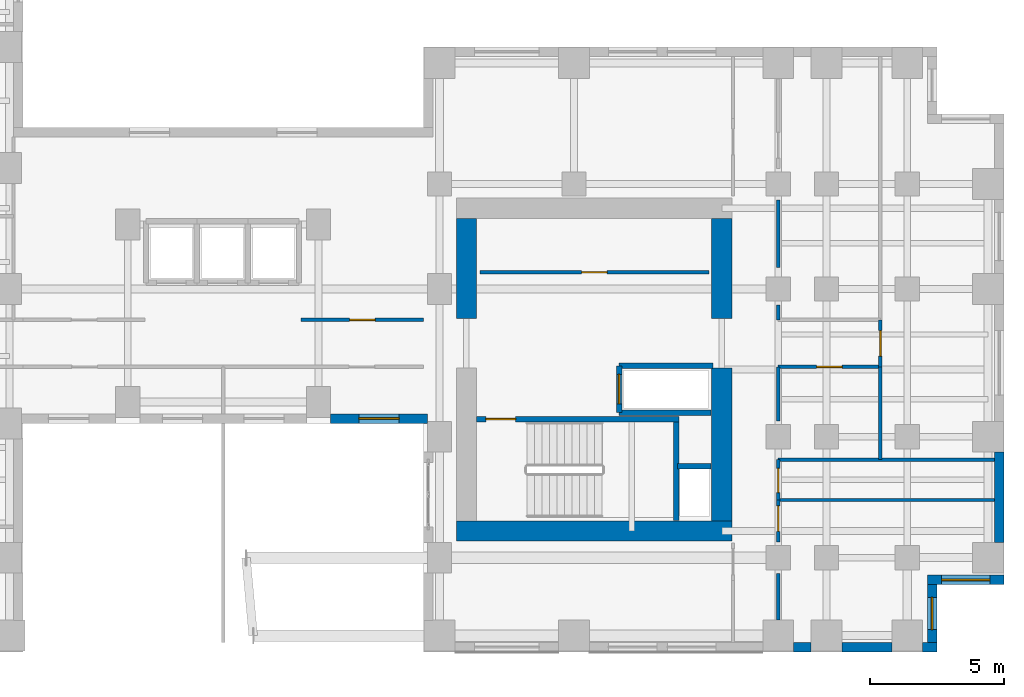
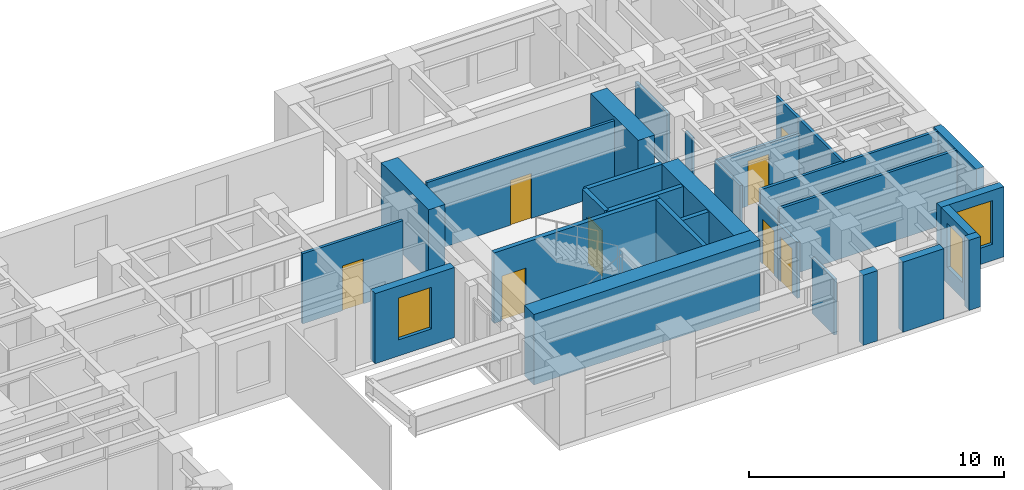
# One storey, part 10 of 14: 30 walls, 8 doors, 3 windows, 11 openings.
"""IFC4 building model written with IfcOpenShell, lengths in metres."""

import ifcopenshell
import ifcopenshell.guid

model = None  # the IFC model being written
_history = None  # IfcOwnerHistory: only IFC2X3 demands one
_inside = {}  # id of a spatial element -> (the spatial element, [elements in it])
_under = {}  # id of a project, library or spatial element -> (it, [spatial elements below it])
_declared = {}  # id of a project -> (the project, [libraries it declares])
_typed = {}  # id of a type object -> (the type object, [elements of that type])
_made_of = {}  # id of a material, layer set ... -> (it, [elements and type objects made of it])


def new_model(schema):
    """Start an empty IFC model of exactly this schema.

    Asked for "IFC4X3", IfcOpenShell would pick the latest addendum, in which some entities
    have other attributes; the version numbers below select the first issue.
    IFC2X3 requires an IfcOwnerHistory on every rooted entity: one is made here for all.
    """
    global model, _history
    if schema == "IFC4X3":
        model = ifcopenshell.file(schema_version=(4, 3, 0, 0))
    else:
        model = ifcopenshell.file(schema=schema)
    _inside.clear()
    _under.clear()
    _declared.clear()
    _typed.clear()
    _made_of.clear()
    _history = None
    if model.schema == "IFC2X3":
        org = make("IfcOrganization", Name="unknown")
        user = make(
            "IfcPersonAndOrganization",
            ThePerson=make("IfcPerson", FamilyName="unknown"),
            TheOrganization=org,
        )
        app = make(
            "IfcApplication",
            ApplicationDeveloper=org,
            Version="unknown",
            ApplicationFullName="unknown",
            ApplicationIdentifier="unknown",
        )
        _history = make(
            "IfcOwnerHistory",
            OwningUser=user,
            OwningApplication=app,
            ChangeAction="ADDED",
            CreationDate=0,
        )
    return model


def make(cls, **values):
    """One entity of the class cls with the attributes given. An attribute that is None is left unset."""
    return model.create_entity(
        cls, **{name: value for name, value in values.items() if value is not None}
    )


def rooted(cls, **values):
    """An entity with a GlobalId (a new one), such as an element, a storey or a relation."""
    return make(cls, GlobalId=ifcopenshell.guid.new(), OwnerHistory=_history, **values)


def si_unit(unit_type, name, prefix=None):
    """IfcSIUnit, for example si_unit("LENGTHUNIT", "METRE", prefix="MILLI")."""
    return make("IfcSIUnit", UnitType=unit_type, Prefix=prefix, Name=name)


def assignment(units):
    """IfcUnitAssignment: the units of a project."""
    return None if units is None else make("IfcUnitAssignment", Units=units)


def point(xyz):
    """IfcCartesianPoint."""
    return None if xyz is None else make("IfcCartesianPoint", Coordinates=xyz)


def direction(xyz):
    """IfcDirection."""
    return None if xyz is None else make("IfcDirection", DirectionRatios=xyz)


def frame(location, z_axis=None, x_axis=None):
    """IfcAxis2Placement3D, a coordinate frame: its origin and axes. An axis left out is left unset."""
    return make(
        "IfcAxis2Placement3D",
        Location=point(location),
        Axis=direction(z_axis),
        RefDirection=direction(x_axis),
    )


def frame_2d(location, x_axis=None):
    """IfcAxis2Placement2D, a coordinate frame in the plane: its origin and x axis."""
    return make(
        "IfcAxis2Placement2D", Location=point(location), RefDirection=direction(x_axis)
    )


def origin():
    """The frame at (0, 0, 0) with its axes left unset."""
    return frame((0.0, 0.0, 0.0))


def place(relative_to, where):
    """IfcLocalPlacement: puts the frame where relative to a parent placement (None: the world)."""
    return make(
        "IfcLocalPlacement", PlacementRelTo=relative_to, RelativePlacement=where
    )


def context(
    kind, dimensions, precision=None, world=None, true_north=None, identifier=None
):
    """IfcGeometricRepresentationContext, for example the 3D "Model" context."""
    return make(
        "IfcGeometricRepresentationContext",
        ContextIdentifier=identifier,
        ContextType=kind,
        CoordinateSpaceDimension=dimensions,
        Precision=precision,
        WorldCoordinateSystem=world,
        TrueNorth=true_north,
    )


def subcontext(parent, identifier, kind, view, scale=None):
    """IfcGeometricRepresentationSubContext, for example "Body" below "Model"."""
    return make(
        "IfcGeometricRepresentationSubContext",
        ContextIdentifier=identifier,
        ContextType=kind,
        ParentContext=parent,
        TargetScale=scale,
        TargetView=view,
    )


def project(units=None, contexts=None):
    """IfcProject with its units and contexts."""
    return rooted(
        "IfcProject",
        Name="project",
        RepresentationContexts=contexts,
        UnitsInContext=assignment(units),
    )


def spatial(cls, under=None, at=None, **own):
    """A site, building, storey or space (cls), placed at a placement, below another one or the project."""
    s = rooted(cls, ObjectPlacement=at, **own)
    if under is not None:
        _under.setdefault(under.id(), (under, []))[1].append(s)
    return s


def profile(cls, at=None, kind="AREA", **sizes):
    """A parametric profile (cls). Its sizes go by their IFC names, for example OverallWidth=200.0."""
    return make(cls, ProfileType=kind, Position=at, **sizes)


def rectangle(**sizes):
    """IfcRectangleProfileDef."""
    return profile("IfcRectangleProfileDef", **sizes)


def extrude(swept, where, along, depth):
    """IfcExtrudedAreaSolid: the profile swept, set in the frame where, extruded along a direction by depth."""
    return make(
        "IfcExtrudedAreaSolid",
        SweptArea=swept,
        Position=where,
        ExtrudedDirection=direction(along),
        Depth=depth,
    )


def shape(context_of_items, identifier, shape_type, items):
    """IfcShapeRepresentation: the items that make up one representation, for example the "Body"."""
    return make(
        "IfcShapeRepresentation",
        ContextOfItems=context_of_items,
        RepresentationIdentifier=identifier,
        RepresentationType=shape_type,
        Items=items,
    )


def source(mapping_origin, context_of_items, identifier, shape_type, items):
    """IfcRepresentationMap: a shape defined once, which mapped items show again and again."""
    return make(
        "IfcRepresentationMap",
        MappingOrigin=mapping_origin,
        MappedRepresentation=shape(context_of_items, identifier, shape_type, items),
    )


def transform(
    local_origin,
    x_axis=None,
    y_axis=None,
    z_axis=None,
    scale=None,
    scale2=None,
    scale3=None,
    uniform=True,
):
    """IfcCartesianTransformationOperator3D, or its non-uniform kind. x_axis, y_axis, z_axis: its Axis1, 2, 3."""
    if uniform:
        return make(
            "IfcCartesianTransformationOperator3D",
            Axis1=direction(x_axis),
            Axis2=direction(y_axis),
            LocalOrigin=point(local_origin),
            Scale=scale,
            Axis3=direction(z_axis),
        )
    return make(
        "IfcCartesianTransformationOperator3DnonUniform",
        Axis1=direction(x_axis),
        Axis2=direction(y_axis),
        LocalOrigin=point(local_origin),
        Scale=scale,
        Axis3=direction(z_axis),
        Scale2=scale2,
        Scale3=scale3,
    )


def mapped(mapping_source, mapping_target):
    """IfcMappedItem: shows the shape of a source again, moved by a transform."""
    return make(
        "IfcMappedItem", MappingSource=mapping_source, MappingTarget=mapping_target
    )


def material(Name=None, Category=None):
    """IfcMaterial."""
    return make("IfcMaterial", Name=Name, Category=Category)


def layer(
    of_material, thickness, ventilated=None, Name=None, Category=None, Priority=None
):
    """IfcMaterialLayer: one layer of a wall or slab, of a material (None: an air gap)."""
    return make(
        "IfcMaterialLayer",
        Material=of_material,
        LayerThickness=thickness,
        IsVentilated=ventilated,
        Name=Name,
        Category=Category,
        Priority=Priority,
    )


def layer_set(layers, Name=None):
    """IfcMaterialLayerSet."""
    return make("IfcMaterialLayerSet", MaterialLayers=layers, LayerSetName=Name)


def made_of(thing, what):
    """Note that an element or type object is made of a material, layer set ...; save() writes the relation."""
    if what is not None:
        _made_of.setdefault(what.id(), (what, []))[1].append(thing)
    return thing


def type_object(cls, material=None, **own):
    """A type object (cls), such as IfcWallType, which elements share."""
    return made_of(rooted(cls, **own), material)


def element(
    cls,
    number,
    at=None,
    inside=None,
    cuts=None,
    type_object=None,
    material=None,
    context=None,
    identifier="Body",
    shape_type=None,
    held_by="IfcProductDefinitionShape",
    body=None,
    shapes=None,
    **own,
):
    """One element of the class cls, such as IfcWall. Its Tag is "e" and its number.

    at: its placement. inside: the storey or other place that contains it. cuts: it is an
    opening in that element (IfcRelVoidsElement). A single representation is given by context,
    identifier, shape_type and body (its items); several are given by shapes. held_by: the class
    of the entity that holds the representations. save() writes the other relations.
    """
    e = rooted(cls, Tag="e%d" % number, ObjectPlacement=at, **own)
    if body is not None:
        shapes = [shape(context, identifier, shape_type, body)]
    if shapes is not None:
        e.Representation = make(held_by, Representations=shapes)
    if inside is not None:
        _inside.setdefault(inside.id(), (inside, []))[1].append(e)
    if cuts is not None:
        rooted(
            "IfcRelVoidsElement", RelatingBuildingElement=cuts, RelatedOpeningElement=e
        )
    if type_object is not None:
        _typed.setdefault(type_object.id(), (type_object, []))[1].append(e)
    return made_of(e, material)


def fill(opening, filler):
    """IfcRelFillsElement: the door or window that sits in an opening."""
    return rooted(
        "IfcRelFillsElement",
        RelatingOpeningElement=opening,
        RelatedBuildingElement=filler,
    )


def aggregate(whole, parts):
    """IfcRelAggregates: a whole, such as a stair, and the parts it consists of."""
    return rooted("IfcRelAggregates", RelatingObject=whole, RelatedObjects=parts)


def save(model, path):
    """Write the relations noted so far, then the file.

    IfcRelAggregates (storeys below a building ...), IfcRelContainedInSpatialStructure (elements
    in a storey), IfcRelDefinesByType, IfcRelAssociatesMaterial and IfcRelDeclares: one each for
    every whole, place, type object, material and project.
    """
    for whole, parts in _under.values():
        aggregate(whole, parts)
    for where, things in _inside.values():
        rooted(
            "IfcRelContainedInSpatialStructure",
            RelatedElements=things,
            RelatingStructure=where,
        )
    for kind, things in _typed.values():
        rooted("IfcRelDefinesByType", RelatedObjects=things, RelatingType=kind)
    for what, things in _made_of.values():
        rooted("IfcRelAssociatesMaterial", RelatedObjects=things, RelatingMaterial=what)
    for by, libraries in _declared.values():
        rooted("IfcRelDeclares", RelatingContext=by, RelatedDefinitions=libraries)
    model.write(path)


model = new_model("IFC4")

# Units and contexts
model_context = context("Model", 3, precision=1e-05, world=origin(), true_north=direction((0.0, 1.0)))
body_context = subcontext(model_context, "Body", "Model", "MODEL_VIEW")
ifc_project = project(units=[si_unit("LENGTHUNIT", "METRE"), si_unit("AREAUNIT", "SQUARE_METRE"), si_unit("VOLUMEUNIT", "CUBIC_METRE"), si_unit("PLANEANGLEUNIT", "RADIAN"), si_unit("MASSUNIT", "GRAM", prefix="KILO")], contexts=[model_context])

# Site, building, storey
site_placement = place(None, origin())
site = spatial("IfcSite", under=ifc_project, at=site_placement, CompositionType="ELEMENT")
building_placement = place(site_placement, origin())
building = spatial("IfcBuilding", under=site, at=building_placement, Name="Kharzan Plaza Tower", CompositionType="ELEMENT")
storey_placement = place(building_placement, frame((0.0, 0.0, 102.60009765625)))
storey = spatial("IfcBuildingStorey", under=building, at=storey_placement, Name="L27", CompositionType="ELEMENT", Elevation=102.60009765625)

# Wall, opening, window
ifc_material_1 = material(Name="Concrete C40/50", Category="concrete")
ifc_layer_1 = layer(ifc_material_1, 0.35009765625)
ifc_layer_set_1 = layer_set([ifc_layer_1], Name="Concrete C40/50")
wall_type_1 = type_object("IfcWallType", Name="WL-EXT-MAS-Z2", PredefinedType="SOLIDWALL", material=ifc_layer_set_1)
wall_1_placement = place(storey_placement, frame((30.947998046875, 8.675048828125, 0.0), z_axis=(0.0, 0.0, 1.0), x_axis=(1.0, 0.0, 0.0)))
wall_1 = element("IfcWall", 1, at=wall_1_placement, inside=storey, type_object=wall_type_1, Name="L27 Masonry-Frame Exterior Wall 36", PredefinedType="SOLIDWALL", context=body_context, shape_type="SweptSolid", body=[
    extrude(rectangle(XDim=3.60400390625, YDim=0.35009765625, at=frame_2d((1.802001953125, 0.0))), origin(), (0.0, 0.0, 1.0), 3.364990234375),
])
opening_1_placement = place(wall_1_placement, frame((1.052001953125, 0.0, 0.780029296875)))
opening_1 = element("IfcOpeningElement", 2, at=opening_1_placement, cuts=wall_1, Name="Opening W5", PredefinedType="OPENING", context=body_context, shape_type="SweptSolid", body=[
    extrude(rectangle(XDim=1.5, YDim=2.0, at=frame_2d((0.75, 1.0))), frame((0.0, 0.18505859375, 0.0), z_axis=(0.0, -1.0, 0.0), x_axis=(1.0, 0.0, 0.0)), (0.0, 0.0, 1.0), 0.3701171875),
])
ifc_material_2 = material(Name="Low-E Double Glazing", Category="glass")
window_type_1 = type_object("IfcWindowType", Name="WN-SLT-1500x2000", PartitioningType="SINGLE_PANEL", PredefinedType="WINDOW", material=ifc_material_2)
shared_shape_1 = source(origin(), body_context, "Body", "SweptSolid", [
    extrude(rectangle(XDim=1.5, YDim=2.0, at=frame_2d((0.75, 1.0))), frame((0.0, 0.030029296875, 0.0), z_axis=(0.0, -1.0, 0.0), x_axis=(1.0, 0.0, 0.0)), (0.0, 0.0, 1.0), 0.06005859375),
])
window_1_placement = place(opening_1_placement, origin())
window_1 = element("IfcWindow", 3, at=window_1_placement, inside=storey, type_object=window_type_1, Name="L27 Recessed Solar-Control Window 36-1", OverallHeight=2.0, OverallWidth=1.5, PartitioningType="SINGLE_PANEL", PredefinedType="WINDOW", context=body_context, shape_type="MappedRepresentation", body=[
    mapped(shared_shape_1, transform((0.0, 0.0, 0.0), x_axis=(1.0, 0.0, 0.0), y_axis=(0.0, 1.0, 0.0), z_axis=(0.0, 0.0, 1.0))),
])
fill(opening_1, window_1)

wall_2_placement = place(storey_placement, frame((53.324951171875, 0.347900390625, 0.0), z_axis=(0.0, 0.0, 1.0), x_axis=(0.0, 1.0, 0.0)))
wall_2 = element("IfcWall", 4, at=wall_2_placement, inside=storey, type_object=wall_type_1, Name="L27 Masonry-Frame Exterior Wall 45", PredefinedType="SOLIDWALL", context=body_context, shape_type="SweptSolid", body=[
    extrude(rectangle(XDim=2.154052734375, YDim=0.35009765625, at=frame_2d((1.0771484375, 0.0))), origin(), (0.0, 0.0, 1.0), 3.364990234375),
])
opening_2_placement = place(wall_2_placement, frame((0.47705078125, 0.0, 0.780029296875)))
opening_2 = element("IfcOpeningElement", 5, at=opening_2_placement, cuts=wall_2, Name="Opening W3", PredefinedType="OPENING", context=body_context, shape_type="SweptSolid", body=[
    extrude(rectangle(XDim=1.199951171875, YDim=2.10009765625, at=frame_2d((0.60009765625, 1.050048828125))), frame((0.0, 0.18505859375, 0.0), z_axis=(0.0, -1.0, 0.0), x_axis=(1.0, 0.0, 0.0)), (0.0, 0.0, 1.0), 0.3701171875),
])
window_type_2 = type_object("IfcWindowType", Name="WN-REC-1200x2100", PartitioningType="SINGLE_PANEL", PredefinedType="WINDOW", material=ifc_material_2)
shared_shape_2 = source(origin(), body_context, "Body", "SweptSolid", [
    extrude(rectangle(XDim=1.199951171875, YDim=2.10009765625, at=frame_2d((0.60009765625, 1.050048828125))), frame((0.0, 0.030029296875, 0.0), z_axis=(0.0, -1.0, 0.0), x_axis=(1.0, 0.0, 0.0)), (0.0, 0.0, 1.0), 0.06005859375),
])
window_2_placement = place(opening_2_placement, origin())
window_2 = element("IfcWindow", 6, at=window_2_placement, inside=storey, type_object=window_type_2, Name="L27 Recessed Solar-Control Window 45-1", OverallHeight=2.10009765625, OverallWidth=1.199951171875, PartitioningType="SINGLE_PANEL", PredefinedType="WINDOW", context=body_context, shape_type="MappedRepresentation", body=[
    mapped(shared_shape_2, transform((0.0, 0.0, 0.0), x_axis=(1.0, 0.0, 0.0), y_axis=(0.0, 1.0, 0.0), z_axis=(0.0, 0.0, 1.0))),
])
fill(opening_2, window_2)

wall_3_placement = place(storey_placement, frame((53.14990234375, 2.675048828125, 0.0), z_axis=(0.0, 0.0, 1.0), x_axis=(1.0, 0.0, 0.0)))
wall_3 = element("IfcWall", 7, at=wall_3_placement, inside=storey, type_object=wall_type_1, Name="L27 Masonry-Frame Exterior Wall 46", PredefinedType="SOLIDWALL", context=body_context, shape_type="SweptSolid", body=[
    extrude(rectangle(XDim=2.85009765625, YDim=0.35009765625, at=frame_2d((1.425048828125, 0.0))), origin(), (0.0, 0.0, 1.0), 3.364990234375),
])
opening_3_placement = place(wall_3_placement, frame((0.52490234375, 0.0, 0.780029296875)))
opening_3 = element("IfcOpeningElement", 8, at=opening_3_placement, cuts=wall_3, Name="Opening W1", PredefinedType="OPENING", context=body_context, shape_type="SweptSolid", body=[
    extrude(rectangle(XDim=1.800048828125, YDim=2.10009765625, at=frame_2d((0.89990234375, 1.050048828125))), frame((0.0, 0.18505859375, 0.0), z_axis=(0.0, -1.0, 0.0), x_axis=(1.0, 0.0, 0.0)), (0.0, 0.0, 1.0), 0.3701171875),
])
window_type_3 = type_object("IfcWindowType", Name="WN-REC-1800x2100", PartitioningType="SINGLE_PANEL", PredefinedType="WINDOW", material=ifc_material_2)
shared_shape_3 = source(origin(), body_context, "Body", "SweptSolid", [
    extrude(rectangle(XDim=1.800048828125, YDim=2.10009765625, at=frame_2d((0.89990234375, 1.050048828125))), frame((0.0, 0.030029296875, 0.0), z_axis=(0.0, -1.0, 0.0), x_axis=(1.0, 0.0, 0.0)), (0.0, 0.0, 1.0), 0.06005859375),
])
window_3_placement = place(opening_3_placement, origin())
window_3 = element("IfcWindow", 9, at=window_3_placement, inside=storey, type_object=window_type_3, Name="L27 Recessed Solar-Control Window 46-1", OverallHeight=2.10009765625, OverallWidth=1.800048828125, PartitioningType="SINGLE_PANEL", PredefinedType="WINDOW", context=body_context, shape_type="MappedRepresentation", body=[
    mapped(shared_shape_3, transform((0.0, 0.0, 0.0), x_axis=(1.0, 0.0, 0.0), y_axis=(0.0, 1.0, 0.0), z_axis=(0.0, 0.0, 1.0))),
])
fill(opening_3, window_3)

# Wall, opening, door
ifc_material_3 = material(Name="Fire-Rated Gypsum Board Partition", Category="gypsum")
ifc_layer_2 = layer(ifc_material_3, 0.125)
ifc_layer_set_2 = layer_set([ifc_layer_2], Name="Fire-Rated Gypsum Board Partition")
wall_type_2 = type_object("IfcWallType", Name="WL-INT-PART-125", PredefinedType="PARTITIONING", material=ifc_layer_set_2)
wall_4_placement = place(storey_placement, frame((36.5, 14.1201171875, 0.0), z_axis=(0.0, 0.0, 1.0), x_axis=(1.0, 0.0, 0.0)))
wall_4 = element("IfcWall", 10, at=wall_4_placement, inside=storey, type_object=wall_type_2, Name="L27 Interior Partition CB-RBLS1", PredefinedType="PARTITIONING", context=body_context, shape_type="SweptSolid", body=[
    extrude(rectangle(XDim=8.52001953125, YDim=0.125, at=frame_2d((4.260009765625, 0.0))), origin(), (0.0, 0.0, 1.0), 3.364990234375),
])
opening_4_placement = place(wall_4_placement, frame((3.784912109375, 0.0, 0.0)))
opening_4 = element("IfcOpeningElement", 11, at=opening_4_placement, cuts=wall_4, Name="Opening OD1", PredefinedType="OPENING", context=body_context, shape_type="SweptSolid", body=[
    extrude(rectangle(XDim=0.949951171875, YDim=2.14990234375, at=frame_2d((0.47509765625, 1.074951171875))), frame((0.0, 0.072509765625, 0.0), z_axis=(0.0, -1.0, 0.0), x_axis=(1.0, 0.0, 0.0)), (0.0, 0.0, 1.0), 0.14501953125),
])
ifc_material_4 = material(Name="Acoustic Solid-Core Stained Oak", Category="timber")
door_type_1 = type_object("IfcDoorType", Name="DR-OFF-SINGLE", OperationType="NOTDEFINED", PredefinedType="DOOR", material=ifc_material_4)
shared_shape_4 = source(origin(), body_context, "Body", "SweptSolid", [
    extrude(rectangle(XDim=0.949951171875, YDim=2.14990234375, at=frame_2d((0.47509765625, 1.074951171875))), frame((0.0, 0.02490234375, 0.0), z_axis=(0.0, -1.0, 0.0), x_axis=(1.0, 0.0, 0.0)), (0.0, 0.0, 1.0), 0.050048828125),
])
door_1_placement = place(opening_4_placement, origin())
door_1 = element("IfcDoor", 12, at=door_1_placement, inside=storey, type_object=door_type_1, Name="L27 Mail Room Door", OperationType="SINGLE_SWING_LEFT", OverallHeight=2.14990234375, OverallWidth=0.949951171875, PredefinedType="DOOR", context=body_context, shape_type="MappedRepresentation", body=[
    mapped(shared_shape_4, transform((0.0, 0.0, 0.0), x_axis=(1.0, 0.0, 0.0), y_axis=(0.0, 1.0, 0.0), z_axis=(0.0, 0.0, 1.0))),
])
fill(opening_4, door_1)

wall_5_placement = place(storey_placement, frame((51.39990234375, 10.60009765625, 0.0), z_axis=(0.0, 0.0, 1.0), x_axis=(0.0, 1.0, 0.0)))
wall_5 = element("IfcWall", 13, at=wall_5_placement, inside=storey, type_object=wall_type_2, Name="L27 Interior Partition SH-B2E2", PredefinedType="PARTITIONING", context=body_context, shape_type="SweptSolid", body=[
    extrude(rectangle(XDim=1.75, YDim=0.125, at=frame_2d((0.875, 0.0))), origin(), (0.0, 0.0, 1.0), 3.364990234375),
])
opening_5_placement = place(wall_5_placement, frame((0.39990234375, 0.0, 0.0)))
opening_5 = element("IfcOpeningElement", 14, at=opening_5_placement, cuts=wall_5, Name="Opening OD1", PredefinedType="OPENING", context=body_context, shape_type="SweptSolid", body=[
    extrude(rectangle(XDim=0.949951171875, YDim=2.14990234375, at=frame_2d((0.47509765625, 1.074951171875))), frame((0.0, 0.072509765625, 0.0), z_axis=(0.0, -1.0, 0.0), x_axis=(1.0, 0.0, 0.0)), (0.0, 0.0, 1.0), 0.14501953125),
])
door_2_placement = place(opening_5_placement, origin())
door_2 = element("IfcDoor", 15, at=door_2_placement, inside=storey, type_object=door_type_1, Name="L27 East Boardroom Door", OperationType="SINGLE_SWING_LEFT", OverallHeight=2.14990234375, OverallWidth=0.949951171875, PredefinedType="DOOR", context=body_context, shape_type="MappedRepresentation", body=[
    mapped(shared_shape_4, transform((0.0, 0.0, 0.0), x_axis=(1.0, 0.0, 0.0), y_axis=(0.0, 1.0, 0.0), z_axis=(0.0, 0.0, 1.0))),
])
fill(opening_5, door_2)

wall_6_placement = place(storey_placement, frame((47.60009765625, 10.60009765625, 0.0), z_axis=(0.0, 0.0, 1.0), x_axis=(1.0, 0.0, 0.0)))
wall_6 = element("IfcWall", 16, at=wall_6_placement, inside=storey, type_object=wall_type_2, Name="L27 Interior Partition SH-B2S1", PredefinedType="PARTITIONING", context=body_context, shape_type="SweptSolid", body=[
    extrude(rectangle(XDim=3.7998046875, YDim=0.125, at=frame_2d((1.89990234375, 0.0))), origin(), (0.0, 0.0, 1.0), 2.677001953125),
])
opening_6_placement = place(wall_6_placement, frame((1.425048828125, 0.0, 0.0)))
opening_6 = element("IfcOpeningElement", 17, at=opening_6_placement, cuts=wall_6, Name="Opening OD1", PredefinedType="OPENING", context=body_context, shape_type="SweptSolid", body=[
    extrude(rectangle(XDim=0.949951171875, YDim=2.14990234375, at=frame_2d((0.47509765625, 1.074951171875))), frame((0.0, 0.072509765625, 0.0), z_axis=(0.0, -1.0, 0.0), x_axis=(1.0, 0.0, 0.0)), (0.0, 0.0, 1.0), 0.14501953125),
])
door_3_placement = place(opening_6_placement, origin())
door_3 = element("IfcDoor", 18, at=door_3_placement, inside=storey, type_object=door_type_1, Name="L27 Spur South Office Door", OperationType="SINGLE_SWING_RIGHT", OverallHeight=2.14990234375, OverallWidth=0.949951171875, PredefinedType="DOOR", context=body_context, shape_type="MappedRepresentation", body=[
    mapped(shared_shape_4, transform((0.0, 0.0, 0.0), x_axis=(1.0, 0.0, 0.0), y_axis=(0.0, 1.0, 0.0), z_axis=(0.0, 0.0, 1.0))),
])
fill(opening_6, door_3)

wall_7_placement = place(storey_placement, frame((47.60009765625, 4.090087890625, 0.0), z_axis=(0.0, 0.0, 1.0), x_axis=(0.0, 1.0, 0.0)))
wall_7 = element("IfcWall", 19, at=wall_7_placement, inside=storey, type_object=wall_type_2, Name="L27 Interior Partition SH-B2W0", PredefinedType="PARTITIONING", context=body_context, shape_type="SweptSolid", body=[
    extrude(rectangle(XDim=1.559814453125, YDim=0.125, at=frame_2d((0.77978515625, 0.0))), origin(), (0.0, 0.0, 1.0), 2.677001953125),
])
opening_7_placement = place(wall_7_placement, frame((0.38818359375, 0.0, 0.0)))
opening_7 = element("IfcOpeningElement", 20, at=opening_7_placement, cuts=wall_7, Name="Opening OD1", PredefinedType="OPENING", context=body_context, shape_type="SweptSolid", body=[
    extrude(rectangle(XDim=0.949951171875, YDim=2.14990234375, at=frame_2d((0.47509765625, 1.074951171875))), frame((0.0, 0.072509765625, 0.0), z_axis=(0.0, -1.0, 0.0), x_axis=(1.0, 0.0, 0.0)), (0.0, 0.0, 1.0), 0.14501953125),
])
door_4_placement = place(opening_7_placement, origin())
door_4 = element("IfcDoor", 21, at=door_4_placement, inside=storey, type_object=door_type_1, Name="L27 Wing B South Office Door", OperationType="SINGLE_SWING_RIGHT", OverallHeight=2.14990234375, OverallWidth=0.949951171875, PredefinedType="DOOR", context=body_context, shape_type="MappedRepresentation", body=[
    mapped(shared_shape_4, transform((0.0, 0.0, 0.0), x_axis=(1.0, 0.0, 0.0), y_axis=(0.0, 1.0, 0.0), z_axis=(0.0, 0.0, 1.0))),
])
fill(opening_7, door_4)

wall_8_placement = place(storey_placement, frame((47.60009765625, 5.64990234375, 0.0), z_axis=(0.0, 0.0, 1.0), x_axis=(0.0, 1.0, 0.0)))
wall_8 = element("IfcWall", 22, at=wall_8_placement, inside=storey, type_object=wall_type_2, Name="L27 Interior Partition SH-B2WC", PredefinedType="PARTITIONING", context=body_context, shape_type="SweptSolid", body=[
    extrude(rectangle(XDim=1.5, YDim=0.125, at=frame_2d((0.75, 0.0))), origin(), (0.0, 0.0, 1.0), 2.677001953125),
])
opening_8_placement = place(wall_8_placement, frame((0.27490234375, 0.0, 0.0)))
opening_8 = element("IfcOpeningElement", 23, at=opening_8_placement, cuts=wall_8, Name="Opening WD1", PredefinedType="OPENING", context=body_context, shape_type="SweptSolid", body=[
    extrude(rectangle(XDim=0.89990234375, YDim=2.14990234375, at=frame_2d((0.449951171875, 1.074951171875))), frame((0.0, 0.072509765625, 0.0), z_axis=(0.0, -1.0, 0.0), x_axis=(1.0, 0.0, 0.0)), (0.0, 0.0, 1.0), 0.14501953125),
])
ifc_material_5 = material(Name="Moisture-Resistant Fire-Rated Laminate", Category="timber")
door_type_2 = type_object("IfcDoorType", Name="DR-WC-900", OperationType="NOTDEFINED", PredefinedType="DOOR", material=ifc_material_5)
shared_shape_5 = source(origin(), body_context, "Body", "SweptSolid", [
    extrude(rectangle(XDim=0.89990234375, YDim=2.14990234375, at=frame_2d((0.449951171875, 1.074951171875))), frame((0.0, 0.02490234375, 0.0), z_axis=(0.0, -1.0, 0.0), x_axis=(1.0, 0.0, 0.0)), (0.0, 0.0, 1.0), 0.050048828125),
])
door_5_placement = place(opening_8_placement, origin())
door_5 = element("IfcDoor", 24, at=door_5_placement, inside=storey, type_object=door_type_2, Name="L27 Wing B Washroom Door", OperationType="SINGLE_SWING_LEFT", OverallHeight=2.14990234375, OverallWidth=0.89990234375, PredefinedType="DOOR", context=body_context, shape_type="MappedRepresentation", body=[
    mapped(shared_shape_5, transform((0.0, 0.0, 0.0), x_axis=(1.0, 0.0, 0.0), y_axis=(0.0, 1.0, 0.0), z_axis=(0.0, 0.0, 1.0))),
])
fill(opening_8, door_5)

wall_9_placement = place(storey_placement, frame((29.85009765625, 12.35009765625, 0.0), z_axis=(0.0, 0.0, 1.0), x_axis=(1.0, 0.0, 0.0)))
wall_9 = element("IfcWall", 25, at=wall_9_placement, inside=storey, type_object=wall_type_2, Name="L27 Interior Partition SH-SPNE1", PredefinedType="PARTITIONING", context=body_context, shape_type="SweptSolid", body=[
    extrude(rectangle(XDim=4.5498046875, YDim=0.125, at=frame_2d((2.27490234375, 0.0))), origin(), (0.0, 0.0, 1.0), 3.364990234375),
])
opening_9_placement = place(wall_9_placement, frame((1.800048828125, 0.0, 0.0)))
opening_9 = element("IfcOpeningElement", 26, at=opening_9_placement, cuts=wall_9, Name="Opening OD1", PredefinedType="OPENING", context=body_context, shape_type="SweptSolid", body=[
    extrude(rectangle(XDim=0.949951171875, YDim=2.14990234375, at=frame_2d((0.47509765625, 1.074951171875))), frame((0.0, 0.072509765625, 0.0), z_axis=(0.0, -1.0, 0.0), x_axis=(1.0, 0.0, 0.0)), (0.0, 0.0, 1.0), 0.14501953125),
])
door_6_placement = place(opening_9_placement, origin())
door_6 = element("IfcDoor", 27, at=door_6_placement, inside=storey, type_object=door_type_1, Name="L27 North-East Spine Door", OperationType="SINGLE_SWING_LEFT", OverallHeight=2.14990234375, OverallWidth=0.949951171875, PredefinedType="DOOR", context=body_context, shape_type="MappedRepresentation", body=[
    mapped(shared_shape_4, transform((0.0, 0.0, 0.0), x_axis=(1.0, 0.0, 0.0), y_axis=(0.0, 1.0, 0.0), z_axis=(0.0, 0.0, 1.0))),
])
fill(opening_9, door_6)

ifc_layer_3 = layer(ifc_material_1, 0.199951171875)
ifc_layer_set_3 = layer_set([ifc_layer_3], Name="Concrete C40/50")
wall_type_3 = type_object("IfcWallType", Name="WL-INT-SHAFT-200", PredefinedType="PARTITIONING", material=ifc_layer_set_3)
wall_10_placement = place(storey_placement, frame((41.679931640625, 8.89990234375, 0.0), z_axis=(0.0, 0.0, 1.0), x_axis=(0.0, 1.0, 0.0)))
wall_10 = element("IfcWall", 28, at=wall_10_placement, inside=storey, type_object=wall_type_3, Name="L27 Interior Partition SHF-SVL-2-W", PredefinedType="PARTITIONING", context=body_context, shape_type="SweptSolid", body=[
    extrude(rectangle(XDim=1.739990234375, YDim=0.199951171875, at=frame_2d((0.8701171875, 0.0))), origin(), (0.0, 0.0, 1.0), 3.364990234375),
])
opening_10_placement = place(wall_10_placement, frame((0.320068359375, 0.0, 0.0)))
opening_10 = element("IfcOpeningElement", 29, at=opening_10_placement, cuts=wall_10, Name="Opening LD", PredefinedType="OPENING", context=body_context, shape_type="SweptSolid", body=[
    extrude(rectangle(XDim=1.10009765625, YDim=2.199951171875, at=frame_2d((0.550048828125, 1.10009765625))), frame((0.0, 0.10986328125, 0.0), z_axis=(0.0, -1.0, 0.0), x_axis=(1.0, 0.0, 0.0)), (0.0, 0.0, 1.0), 0.219970703125),
])
ifc_material_6 = material(Name="Brushed Stainless Steel", Category="steel")
door_type_3 = type_object("IfcDoorType", Name="DR-LIFT-SLIDE", OperationType="SLIDING_TO_LEFT", PredefinedType="DOOR", material=ifc_material_6)
shared_shape_6 = source(origin(), body_context, "Body", "SweptSolid", [
    extrude(rectangle(XDim=1.10009765625, YDim=2.199951171875, at=frame_2d((0.550048828125, 1.10009765625))), frame((0.0, 0.02490234375, 0.0), z_axis=(0.0, -1.0, 0.0), x_axis=(1.0, 0.0, 0.0)), (0.0, 0.0, 1.0), 0.050048828125),
])
door_7_placement = place(opening_10_placement, origin())
door_7 = element("IfcDoor", 30, at=door_7_placement, inside=storey, type_object=door_type_3, Name="L27 Service Lift SVL-2 Sliding Landing Door", OperationType="SLIDING_TO_LEFT", OverallHeight=2.199951171875, OverallWidth=1.10009765625, PredefinedType="DOOR", context=body_context, shape_type="MappedRepresentation", body=[
    mapped(shared_shape_6, transform((0.0, 0.0, 0.0), x_axis=(1.0, 0.0, 0.0), y_axis=(0.0, 1.0, 0.0), z_axis=(0.0, 0.0, 1.0))),
])
fill(opening_10, door_7)

ifc_material_7 = material(Name="Concrete C50/60", Category="concrete")
ifc_layer_4 = layer(ifc_material_7, 0.199951171875)
ifc_layer_set_4 = layer_set([ifc_layer_4], Name="Concrete C50/60")
wall_type_4 = type_object("IfcWallType", Name="WL-SHAFT-RC200", PredefinedType="SHEAR", material=ifc_layer_set_4)
wall_11_placement = place(storey_placement, frame((36.376953125, 8.655029296875, 0.0), z_axis=(0.0, 0.0, 1.0), x_axis=(1.0, 0.0, 0.0)))
wall_11 = element("IfcWall", 31, at=wall_11_placement, inside=storey, type_object=wall_type_4, Name="L27 Stair ST-3 North RC Shaft Wall", PredefinedType="SHEAR", context=body_context, shape_type="SweptSolid", body=[
    extrude(rectangle(XDim=7.528076171875, YDim=0.199951171875, at=frame_2d((3.76416015625, 0.0))), origin(), (0.0, 0.0, 1.0), 3.3798828125),
])
opening_11_placement = place(wall_11_placement, frame((0.35009765625, 0.0, 0.0)))
opening_11 = element("IfcOpeningElement", 32, at=opening_11_placement, cuts=wall_11, Name="Opening SD1", PredefinedType="OPENING", context=body_context, shape_type="SweptSolid", body=[
    extrude(rectangle(XDim=1.10009765625, YDim=2.14990234375, at=frame_2d((0.550048828125, 1.074951171875))), frame((0.0, 0.10986328125, 0.0), z_axis=(0.0, -1.0, 0.0), x_axis=(1.0, 0.0, 0.0)), (0.0, 0.0, 1.0), 0.219970703125),
])
ifc_material_8 = material(Name="Fire-Rated Hollow Galvanized Steel", Category="steel")
door_type_4 = type_object("IfcDoorType", Name="DR-STAIR-FD120", OperationType="NOTDEFINED", PredefinedType="DOOR", material=ifc_material_8)
shared_shape_7 = source(origin(), body_context, "Body", "SweptSolid", [
    extrude(rectangle(XDim=1.10009765625, YDim=2.14990234375, at=frame_2d((0.550048828125, 1.074951171875))), frame((0.0, 0.02490234375, 0.0), z_axis=(0.0, -1.0, 0.0), x_axis=(1.0, 0.0, 0.0)), (0.0, 0.0, 1.0), 0.050048828125),
])
door_8_placement = place(opening_11_placement, origin())
door_8 = element("IfcDoor", 33, at=door_8_placement, inside=storey, type_object=door_type_4, Name="L27 Stair ST-3 Fire Exit Door", OperationType="SINGLE_SWING_RIGHT", OverallHeight=2.14990234375, OverallWidth=1.10009765625, PredefinedType="DOOR", context=body_context, shape_type="MappedRepresentation", body=[
    mapped(shared_shape_7, transform((0.0, 0.0, 0.0), x_axis=(1.0, 0.0, 0.0), y_axis=(0.0, 1.0, 0.0), z_axis=(0.0, 0.0, 1.0))),
])
fill(opening_11, door_8)

# Walls
shared_shape_8 = source(origin(), body_context, "Body", "SweptSolid", [
    extrude(rectangle(XDim=3.489990234375, YDim=0.199951171875, at=frame_2d((1.7451171875, 0.0))), origin(), (0.0, 0.0, 1.0), 3.364990234375),
])
wall_12_placement = place(storey_placement, frame((41.679931640625, 10.639892578125, 0.0), z_axis=(0.0, 0.0, 1.0), x_axis=(1.0, 0.0, 0.0)))
element("IfcWall", 34, at=wall_12_placement, inside=storey, type_object=wall_type_3, Name="L27 Interior Partition SHF-SVL-2-N", PredefinedType="PARTITIONING", context=body_context, shape_type="MappedRepresentation", body=[
    mapped(shared_shape_8, transform((0.0, 0.0, 0.0), x_axis=(1.0, 0.0, 0.0), y_axis=(0.0, 1.0, 0.0), z_axis=(0.0, 0.0, 1.0))),
])
shared_shape_9 = source(origin(), body_context, "Body", "SweptSolid", [
    extrude(rectangle(XDim=3.4501953125, YDim=0.125, at=frame_2d((1.72509765625, 0.0))), origin(), (0.0, 0.0, 1.0), 3.364990234375),
])
wall_13_placement = place(storey_placement, frame((51.39990234375, 7.14990234375, 0.0), z_axis=(0.0, 0.0, 1.0), x_axis=(0.0, 1.0, 0.0)))
element("IfcWall", 35, at=wall_13_placement, inside=storey, type_object=wall_type_2, Name="L27 Interior Partition SH-B2V1", PredefinedType="PARTITIONING", context=body_context, shape_type="MappedRepresentation", body=[
    mapped(shared_shape_9, transform((0.0, 0.0, 0.0), x_axis=(1.0, 0.0, 0.0), y_axis=(0.0, 1.0, 0.0), z_axis=(0.0, 0.0, 1.0))),
])
shared_shape_10 = source(origin(), body_context, "Body", "SweptSolid", [
    extrude(rectangle(XDim=0.65380859375, YDim=0.35009765625, at=frame_2d((0.326904296875, 0.0))), origin(), (0.0, 0.0, 1.0), 3.364990234375),
])
wall_14_placement = place(storey_placement, frame((48.173095703125, 0.175048828125, 0.0), z_axis=(0.0, 0.0, 1.0), x_axis=(1.0, 0.0, 0.0)))
element("IfcWall", 36, at=wall_14_placement, inside=storey, type_object=wall_type_1, Name="L27 Masonry-Frame Exterior Wall 42", PredefinedType="SOLIDWALL", context=body_context, shape_type="MappedRepresentation", body=[
    mapped(shared_shape_10, transform((0.0, 0.0, 0.0), x_axis=(1.0, 0.0, 0.0), y_axis=(0.0, 1.0, 0.0), z_axis=(0.0, 0.0, 1.0))),
])
shared_shape_11 = source(origin(), body_context, "Body", "SweptSolid", [
    extrude(rectangle(XDim=1.85400390625, YDim=0.35009765625, at=frame_2d((0.927001953125, 0.0))), origin(), (0.0, 0.0, 1.0), 3.364990234375),
])
wall_15_placement = place(storey_placement, frame((49.972900390625, 0.175048828125, 0.0), z_axis=(0.0, 0.0, 1.0), x_axis=(1.0, 0.0, 0.0)))
element("IfcWall", 37, at=wall_15_placement, inside=storey, type_object=wall_type_1, Name="L27 Masonry-Frame Exterior Wall 43", PredefinedType="SOLIDWALL", context=body_context, shape_type="MappedRepresentation", body=[
    mapped(shared_shape_11, transform((0.0, 0.0, 0.0), x_axis=(1.0, 0.0, 0.0), y_axis=(0.0, 1.0, 0.0), z_axis=(0.0, 0.0, 1.0))),
])
shared_shape_12 = source(origin(), body_context, "Body", "SweptSolid", [
    extrude(rectangle(XDim=0.527099609375, YDim=0.35009765625, at=frame_2d((0.263671875, 0.0))), origin(), (0.0, 0.0, 1.0), 3.364990234375),
])
wall_16_placement = place(storey_placement, frame((52.972900390625, 0.175048828125, 0.0), z_axis=(0.0, 0.0, 1.0), x_axis=(1.0, 0.0, 0.0)))
element("IfcWall", 38, at=wall_16_placement, inside=storey, type_object=wall_type_1, Name="L27 Masonry-Frame Exterior Wall 44", PredefinedType="SOLIDWALL", context=body_context, shape_type="MappedRepresentation", body=[
    mapped(shared_shape_12, transform((0.0, 0.0, 0.0), x_axis=(1.0, 0.0, 0.0), y_axis=(0.0, 1.0, 0.0), z_axis=(0.0, 0.0, 1.0))),
])
shared_shape_13 = source(origin(), body_context, "Body", "SweptSolid", [
    extrude(rectangle(XDim=3.35400390625, YDim=0.35009765625, at=frame_2d((1.677001953125, 0.0))), origin(), (0.0, 0.0, 1.0), 3.364990234375),
])
wall_17_placement = place(storey_placement, frame((55.824951171875, 4.072998046875, 0.0), z_axis=(0.0, 0.0, 1.0), x_axis=(0.0, 1.0, 0.0)))
element("IfcWall", 39, at=wall_17_placement, inside=storey, type_object=wall_type_1, Name="L27 Masonry-Frame Exterior Wall 47", PredefinedType="SOLIDWALL", context=body_context, shape_type="MappedRepresentation", body=[
    mapped(shared_shape_13, transform((0.0, 0.0, 0.0), x_axis=(1.0, 0.0, 0.0), y_axis=(0.0, 1.0, 0.0), z_axis=(0.0, 0.0, 1.0))),
])
shared_shape_14 = source(origin(), body_context, "Body", "SweptSolid", [
    extrude(rectangle(XDim=0.559814453125, YDim=0.125, at=frame_2d((0.27978515625, 0.0))), origin(), (0.0, 0.0, 1.0), 2.677001953125),
])
wall_18_placement = place(storey_placement, frame((47.60009765625, 12.35009765625, 0.0), z_axis=(0.0, 0.0, 1.0), x_axis=(0.0, 1.0, 0.0)))
element("IfcWall", 40, at=wall_18_placement, inside=storey, type_object=wall_type_2, Name="L27 Interior Partition SH-B2W3S", PredefinedType="PARTITIONING", context=body_context, shape_type="MappedRepresentation", body=[
    mapped(shared_shape_14, transform((0.0, 0.0, 0.0), x_axis=(1.0, 0.0, 0.0), y_axis=(0.0, 1.0, 0.0), z_axis=(0.0, 0.0, 1.0))),
])
shared_shape_15 = source(origin(), body_context, "Body", "SweptSolid", [
    extrude(rectangle(XDim=8.0478515625, YDim=0.125, at=frame_2d((4.02392578125, 0.0))), origin(), (0.0, 0.0, 1.0), 3.364990234375),
])
for number, where, z_axis, x_axis, name in (
    (41, (47.60009765625, 5.64990234375, 0.0), (0.0, 0.0, 1.0), (1.0, 0.0, 0.0), "L27 Interior Partition SH-B2H1"),
    (42, (47.60009765625, 7.14990234375, 0.0), (0.0, 0.0, 1.0), (1.0, 0.0, 0.0), "L27 Interior Partition SH-B2H2"),
):
    element("IfcWall", number, at=place(storey_placement, frame(where, z_axis=z_axis, x_axis=x_axis)), inside=storey, type_object=wall_type_2, Name=name, PredefinedType="PARTITIONING", context=body_context, shape_type="MappedRepresentation", body=[
        mapped(shared_shape_15, transform((0.0, 0.0, 0.0), x_axis=(1.0, 0.0, 0.0), y_axis=(0.0, 1.0, 0.0), z_axis=(0.0, 0.0, 1.0))),
    ])
shared_shape_16 = source(origin(), body_context, "Body", "SweptSolid", [
    extrude(rectangle(XDim=1.719970703125, YDim=0.125, at=frame_2d((0.85986328125, 0.0))), origin(), (0.0, 0.0, 1.0), 2.677001953125),
])
wall_19_placement = place(storey_placement, frame((47.60009765625, 1.18994140625, 0.0), z_axis=(0.0, 0.0, 1.0), x_axis=(0.0, 1.0, 0.0)))
element("IfcWall", 43, at=wall_19_placement, inside=storey, type_object=wall_type_2, Name="L27 Interior Partition SH-B2W0S", PredefinedType="PARTITIONING", context=body_context, shape_type="MappedRepresentation", body=[
    mapped(shared_shape_16, transform((0.0, 0.0, 0.0), x_axis=(1.0, 0.0, 0.0), y_axis=(0.0, 1.0, 0.0), z_axis=(0.0, 0.0, 1.0))),
])
shared_shape_17 = source(origin(), body_context, "Body", "SweptSolid", [
    extrude(rectangle(XDim=2.010009765625, YDim=0.125, at=frame_2d((1.0048828125, 0.0))), origin(), (0.0, 0.0, 1.0), 2.677001953125),
])
wall_20_placement = place(storey_placement, frame((47.60009765625, 8.590087890625, 0.0), z_axis=(0.0, 0.0, 1.0), x_axis=(0.0, 1.0, 0.0)))
element("IfcWall", 44, at=wall_20_placement, inside=storey, type_object=wall_type_2, Name="L27 Interior Partition SH-B2W1C", PredefinedType="PARTITIONING", context=body_context, shape_type="MappedRepresentation", body=[
    mapped(shared_shape_17, transform((0.0, 0.0, 0.0), x_axis=(1.0, 0.0, 0.0), y_axis=(0.0, 1.0, 0.0), z_axis=(0.0, 0.0, 1.0))),
])
shared_shape_18 = source(origin(), body_context, "Body", "SweptSolid", [
    extrude(rectangle(XDim=2.510009765625, YDim=0.125, at=frame_2d((1.2548828125, 0.0))), origin(), (0.0, 0.0, 1.0), 2.677001953125),
])
wall_21_placement = place(storey_placement, frame((47.60009765625, 14.300048828125, 0.0), z_axis=(0.0, 0.0, 1.0), x_axis=(0.0, 1.0, 0.0)))
element("IfcWall", 45, at=wall_21_placement, inside=storey, type_object=wall_type_2, Name="L27 Interior Partition SH-B2W3D-S1", PredefinedType="PARTITIONING", context=body_context, shape_type="MappedRepresentation", body=[
    mapped(shared_shape_18, transform((0.0, 0.0, 0.0), x_axis=(1.0, 0.0, 0.0), y_axis=(0.0, 1.0, 0.0), z_axis=(0.0, 0.0, 1.0))),
])
shared_shape_19 = source(origin(), body_context, "Body", "SweptSolid", [
    extrude(rectangle(XDim=1.244873046875, YDim=0.199951171875, at=frame_2d((0.62255859375, 0.0))), origin(), (0.0, 0.0, 1.0), 3.364990234375),
])
wall_22_placement = place(storey_placement, frame((43.85009765625, 6.89990234375, 0.0), z_axis=(0.0, 0.0, 1.0), x_axis=(1.0, 0.0, 0.0)))
element("IfcWall", 46, at=wall_22_placement, inside=storey, type_object=wall_type_3, Name="L27 Interior Partition CB-RSRB-N", PredefinedType="PARTITIONING", context=body_context, shape_type="MappedRepresentation", body=[
    mapped(shared_shape_19, transform((0.0, 0.0, 0.0), x_axis=(1.0, 0.0, 0.0), y_axis=(0.0, 1.0, 0.0), z_axis=(0.0, 0.0, 1.0))),
])
shared_shape_20 = source(origin(), body_context, "Body", "SweptSolid", [
    extrude(rectangle(XDim=3.4150390625, YDim=0.199951171875, at=frame_2d((1.70751953125, 0.0))), origin(), (0.0, 0.0, 1.0), 3.364990234375),
])
wall_23_placement = place(storey_placement, frame((41.679931640625, 8.89990234375, 0.0), z_axis=(0.0, 0.0, 1.0), x_axis=(1.0, 0.0, 0.0)))
element("IfcWall", 47, at=wall_23_placement, inside=storey, type_object=wall_type_3, Name="L27 Interior Partition SHF-SVL-2-S", PredefinedType="PARTITIONING", context=body_context, shape_type="MappedRepresentation", body=[
    mapped(shared_shape_20, transform((0.0, 0.0, 0.0), x_axis=(1.0, 0.0, 0.0), y_axis=(0.0, 1.0, 0.0), z_axis=(0.0, 0.0, 1.0))),
])
ifc_material_9 = material(Name="Concrete C60/75", Category="concrete")
ifc_layer_5 = layer(ifc_material_9, 0.75)
ifc_layer_set_5 = layer_set([ifc_layer_5], Name="Concrete C60/75")
wall_type_5 = type_object("IfcWallType", Name="WL-CORE-750", PredefinedType="SHEAR", material=ifc_layer_set_5)
shared_shape_21 = source(origin(), body_context, "Body", "SweptSolid", [
    extrude(rectangle(XDim=5.675048828125, YDim=0.75, at=frame_2d((2.83740234375, 0.0))), origin(), (0.0, 0.0, 1.0), 3.3798828125),
])
wall_24_placement = place(storey_placement, frame((45.5, 4.875, 0.0), z_axis=(0.0, 0.0, 1.0), x_axis=(0.0, 1.0, 0.0)))
element("IfcWall", 48, at=wall_24_placement, inside=storey, type_object=wall_type_5, Name="L27 CORE-B east shear pier 1", PredefinedType="SHEAR", context=body_context, shape_type="MappedRepresentation", body=[
    mapped(shared_shape_21, transform((0.0, 0.0, 0.0), x_axis=(1.0, 0.0, 0.0), y_axis=(0.0, 1.0, 0.0), z_axis=(0.0, 0.0, 1.0))),
])
shared_shape_22 = source(origin(), body_context, "Body", "SweptSolid", [
    extrude(rectangle(XDim=3.72509765625, YDim=0.75, at=frame_2d((1.862548828125, 0.0))), origin(), (0.0, 0.0, 1.0), 3.3798828125),
])
for number, where, z_axis, x_axis, name in (
    (49, (45.5, 12.39990234375, 0.0), (0.0, 0.0, 1.0), (0.0, 1.0, 0.0), "L27 CORE-B east shear pier 2"),
    (50, (36.0, 12.39990234375, 0.0), (0.0, 0.0, 1.0), (0.0, 1.0, 0.0), "L27 CORE-B west shear pier 2"),
):
    element("IfcWall", number, at=place(storey_placement, frame(where, z_axis=z_axis, x_axis=x_axis)), inside=storey, type_object=wall_type_5, Name=name, PredefinedType="SHEAR", context=body_context, shape_type="MappedRepresentation", body=[
        mapped(shared_shape_22, transform((0.0, 0.0, 0.0), x_axis=(1.0, 0.0, 0.0), y_axis=(0.0, 1.0, 0.0), z_axis=(0.0, 0.0, 1.0))),
    ])
shared_shape_23 = source(origin(), body_context, "Body", "SweptSolid", [
    extrude(rectangle(XDim=10.25, YDim=0.75, at=frame_2d((5.125, 0.0))), origin(), (0.0, 0.0, 1.0), 3.3798828125),
])
wall_25_placement = place(storey_placement, frame((35.625, 4.5, 0.0), z_axis=(0.0, 0.0, 1.0), x_axis=(1.0, 0.0, 0.0)))
element("IfcWall", 51, at=wall_25_placement, inside=storey, type_object=wall_type_5, Name="L27 CORE-B south RC shear wall", PredefinedType="SHEAR", context=body_context, shape_type="MappedRepresentation", body=[
    mapped(shared_shape_23, transform((0.0, 0.0, 0.0), x_axis=(1.0, 0.0, 0.0), y_axis=(0.0, 1.0, 0.0), z_axis=(0.0, 0.0, 1.0))),
])
shared_shape_24 = source(origin(), body_context, "Body", "SweptSolid", [
    extrude(rectangle(XDim=3.677978515625, YDim=0.199951171875, at=frame_2d((1.8388671875, 0.0))), origin(), (0.0, 0.0, 1.0), 3.3798828125),
])
wall_26_placement = place(storey_placement, frame((43.804931640625, 4.876953125, 0.0), z_axis=(0.0, 0.0, 1.0), x_axis=(0.0, 1.0, 0.0)))
element("IfcWall", 52, at=wall_26_placement, inside=storey, type_object=wall_type_4, Name="L27 Stair ST-3 East RC Shaft Wall", PredefinedType="SHEAR", context=body_context, shape_type="MappedRepresentation", body=[
    mapped(shared_shape_24, transform((0.0, 0.0, 0.0), x_axis=(1.0, 0.0, 0.0), y_axis=(0.0, 1.0, 0.0), z_axis=(0.0, 0.0, 1.0))),
])

save(model, "model.ifc")
